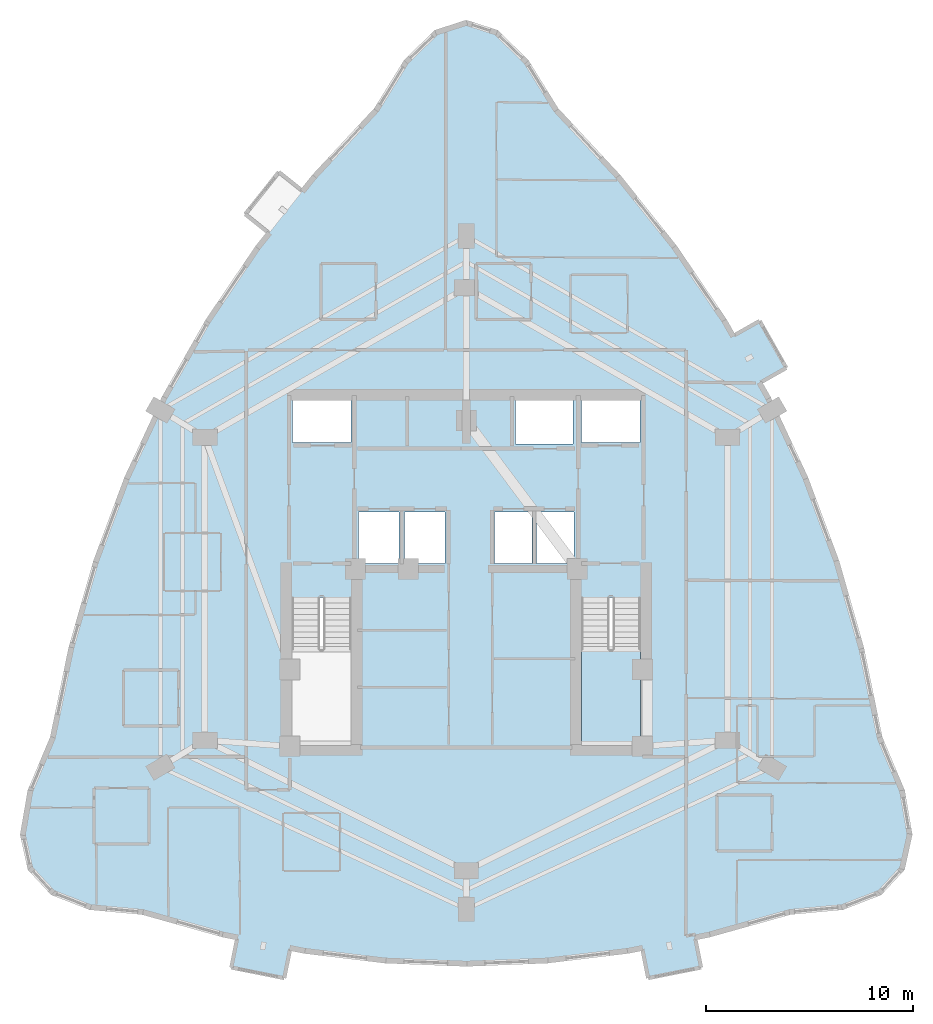
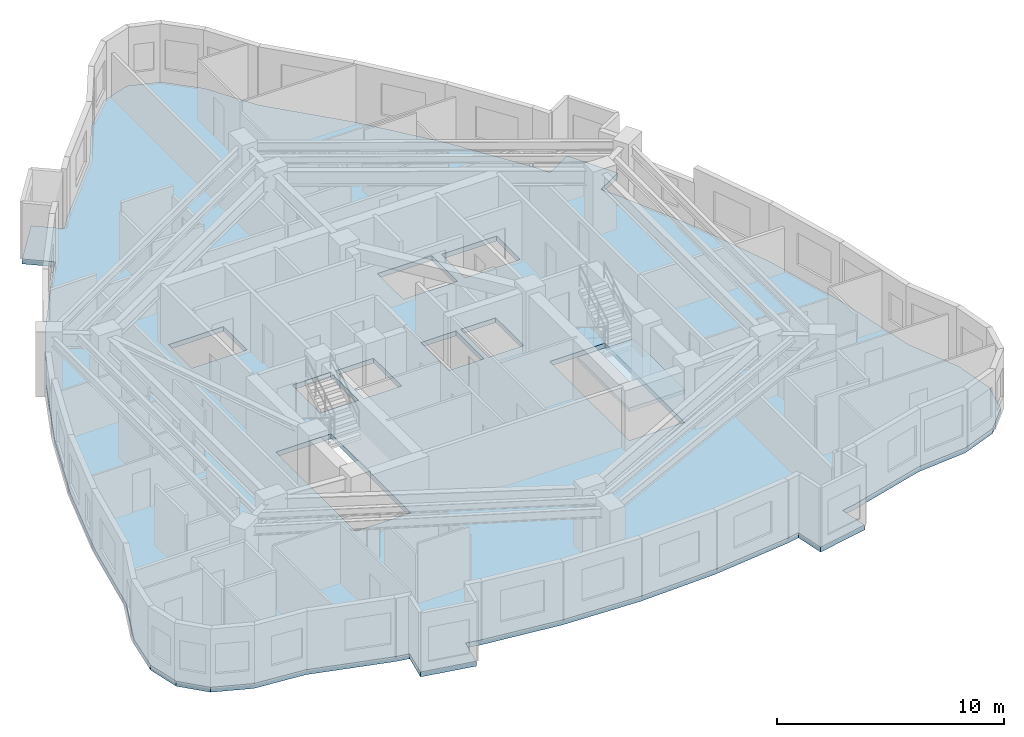
# One storey, part 3 of 11: 2 slabs, 1 element without a shape of its own.
"""IFC4 building model written with IfcOpenShell, lengths in metres."""

from ifc_helpers import new_model, si_unit, direction, frame, origin, place, context, subcontext, project, spatial, polyline, outline, extrude, material, layer, layer_set, type_object, element, aggregate, save


model = new_model("IFC4")

# Units and contexts
model_context = context("Model", 3, precision=1e-05, world=origin(), true_north=direction((0.0, 1.0)))
body_context = subcontext(model_context, "Body", "Model", "MODEL_VIEW")
ifc_project = project(units=[si_unit("LENGTHUNIT", "METRE"), si_unit("AREAUNIT", "SQUARE_METRE"), si_unit("VOLUMEUNIT", "CUBIC_METRE"), si_unit("PLANEANGLEUNIT", "RADIAN"), si_unit("MASSUNIT", "GRAM", prefix="KILO")], contexts=[model_context])

# Site, building, storey
site_placement = place(None, origin())
site = spatial("IfcSite", under=ifc_project, at=site_placement, CompositionType="ELEMENT")
building_placement = place(site_placement, origin())
building = spatial("IfcBuilding", under=site, at=building_placement, Name="Miruveldt Soraemaru", CompositionType="ELEMENT")
storey_placement = place(building_placement, frame((0.0, 0.0, 159.89990234375)))
storey = spatial("IfcBuildingStorey", under=building, at=storey_placement, Name="L44", CompositionType="ELEMENT", Elevation=159.89990234375)

# Stair, slab
ifc_material = material(Name="Concrete C40/50 (40 MPa)", Category="concrete")
stair_type = type_object("IfcStairType", Name="STAIR-DL-350", PredefinedType="HALF_TURN_STAIR", material=ifc_material)
stair_placement = place(storey_placement, origin())
stair = element("IfcStair", 1, at=stair_placement, inside=storey, type_object=stair_type, Name="L44 Protected Exit Stair ST-2", PredefinedType="HALF_TURN_STAIR")
ifc_layer_1 = layer(ifc_material, 0.199951171875, Name="Concrete C40/50 (40 MPa)", Category="concrete")
ifc_layer_set_1 = layer_set([ifc_layer_1], Name="Concrete C40/50 (40 MPa)")
slab_type_1 = type_object("IfcSlabType", Name="SLAB-LAND-200", PredefinedType="LANDING", material=ifc_layer_set_1)
slab_1_placement = place(storey_placement, frame((0.0, 0.0, 1.550048828125)))
slab_1 = element("IfcSlab", 2, at=slab_1_placement, type_object=slab_type_1, Name="ST-2 landing 1", PredefinedType="LANDING", context=body_context, shape_type="SweptSolid", body=[
    extrude(outline(polyline([(49.550048828125, 40.197998046875), (49.550048828125, 35.64990234375), (52.39990234375, 35.64990234375), (52.39990234375, 40.197998046875), (49.550048828125, 40.197998046875)])), origin(), (0.0, 0.0, 1.0), 0.199951171875),
])
aggregate(stair, [slab_1])

# Slab
ifc_layer_2 = layer(ifc_material, 0.264892578125, Name="Concrete C40/50 (40 MPa)", Category="concrete")
ifc_layer_set_2 = layer_set([ifc_layer_2], Name="Concrete C40/50 (40 MPa)")
slab_type_2 = type_object("IfcSlabType", Name="SLAB-RES2-265", PredefinedType="FLOOR", material=ifc_layer_set_2)
slab_2_placement = place(storey_placement, frame((0.0, 0.0, -0.264892578125)))
element("IfcSlab", 3, at=slab_2_placement, inside=storey, type_object=slab_type_2, Name="L44 Structural Floor Slab", PredefinedType="FLOOR", context=body_context, shape_type="SweptSolid", body=[
    extrude(outline(polyline([(32.680908203125, 24.8408203125), (32.97119140625, 26.292236328125), (32.294921875, 26.427490234375), (28.393310546875, 27.519775390625), (25.872802734375, 27.752685546875), (24.072265625, 28.451171875), (22.991943359375, 29.615478515625), (22.6318359375, 31.245361328125), (22.991943359375, 33.341064453125), (24.072265625, 35.90234375), (24.96337890625, 40.233154296875), (26.1572265625, 44.40771484375), (27.654052734375, 48.42626953125), (29.45361328125, 52.28857421875), (31.5556640625, 55.9951171875), (33.960693359375, 59.54541015625), (35.314697265625, 61.242431640625), (34.50390625, 60.226318359375), (33.3466796875, 61.149169921875), (34.96826171875, 63.181640625), (36.125244140625, 62.258544921875), (36.66845703125, 62.939453125), (39.6787109375, 66.177734375), (41.119140625, 68.506103515625), (42.5595703125, 69.9033203125), (44.0, 70.368896484375), (45.4404296875, 69.9033203125), (46.880859375, 68.506103515625), (48.3212890625, 66.177734375), (51.33154296875, 62.939453125), (54.039306640625, 59.54541015625), (56.4443359375, 55.9951171875), (56.85400390625, 55.272705078125), (58.141357421875, 56.002685546875), (59.424072265625, 53.7412109375), (58.13671875, 53.010986328125), (57.495361328125, 54.141845703125), (58.54638671875, 52.28857421875), (60.345947265625, 48.42626953125), (61.8427734375, 44.40771484375), (63.03662109375, 40.233154296875), (63.927734375, 35.90234375), (65.008056640625, 33.341064453125), (65.3681640625, 31.245361328125), (65.008056640625, 29.615478515625), (63.927734375, 28.451171875), (62.127197265625, 27.752685546875), (59.606689453125, 27.519775390625), (55.705078125, 26.427490234375), (55.02880859375, 26.292236328125), (55.319091796875, 24.8408203125), (52.769775390625, 24.330810546875), (52.4794921875, 25.7822265625), (53.754150390625, 26.037109375), (51.80322265625, 25.64697265625), (47.901611328125, 25.1787109375), (44.0, 25.022705078125), (40.098388671875, 25.1787109375), (36.19677734375, 25.64697265625), (34.245849609375, 26.037109375), (35.5205078125, 25.7822265625), (35.230224609375, 24.330810546875), (32.680908203125, 24.8408203125)]), holes=[polyline([(35.614990234375, 35.6650390625), (38.43505859375, 35.6650390625), (38.43505859375, 42.68505859375), (35.614990234375, 42.68505859375), (35.614990234375, 35.6650390625)]), polyline([(49.56494140625, 35.6650390625), (52.385009765625, 35.6650390625), (52.385009765625, 42.68505859375), (49.56494140625, 42.68505859375), (49.56494140625, 35.6650390625)]), polyline([(40.764892578125, 44.31494140625), (40.764892578125, 46.784912109375), (38.81494140625, 46.784912109375), (38.81494140625, 44.31494140625), (40.764892578125, 44.31494140625)]), polyline([(42.965087890625, 44.31494140625), (42.965087890625, 46.784912109375), (41.034912109375, 46.784912109375), (41.034912109375, 44.31494140625), (42.965087890625, 44.31494140625)]), polyline([(47.1650390625, 44.31494140625), (47.1650390625, 46.784912109375), (45.364990234375, 46.784912109375), (45.364990234375, 44.31494140625), (47.1650390625, 44.31494140625)]), polyline([(49.18505859375, 44.31494140625), (49.18505859375, 46.784912109375), (47.39501953125, 46.784912109375), (47.39501953125, 44.31494140625), (49.18505859375, 44.31494140625)]), polyline([(38.445068359375, 50.135009765625), (38.445068359375, 52.205078125), (35.635009765625, 52.205078125), (35.635009765625, 50.135009765625), (38.445068359375, 50.135009765625)]), polyline([(49.554931640625, 50.135009765625), (52.364990234375, 50.135009765625), (52.364990234375, 52.205078125), (49.554931640625, 52.205078125), (49.554931640625, 50.135009765625)]), polyline([(46.364990234375, 50.06494140625), (49.135009765625, 50.06494140625), (49.135009765625, 52.3349609375), (46.364990234375, 52.3349609375), (46.364990234375, 50.06494140625)])]), origin(), (0.0, 0.0, 1.0), 0.264892578125),
])

save(model, "model.ifc")
